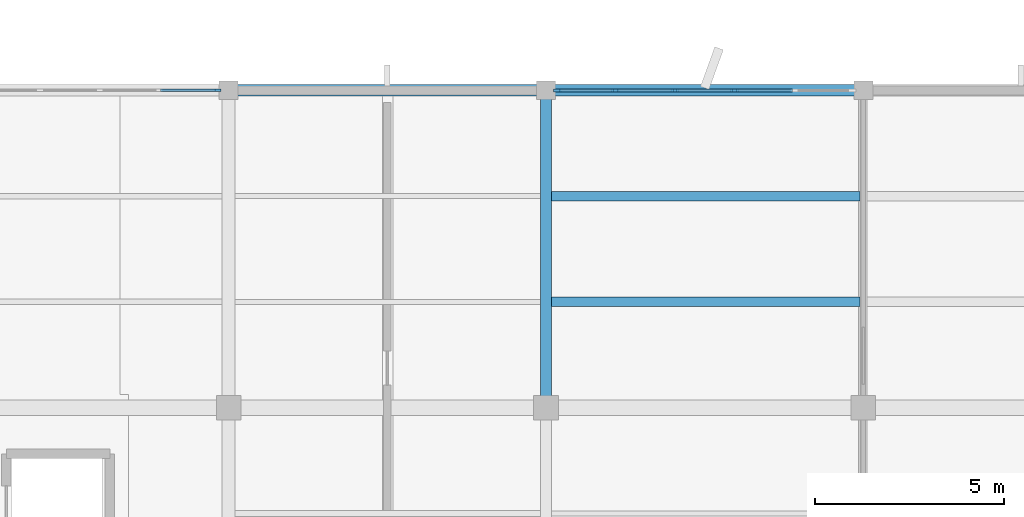
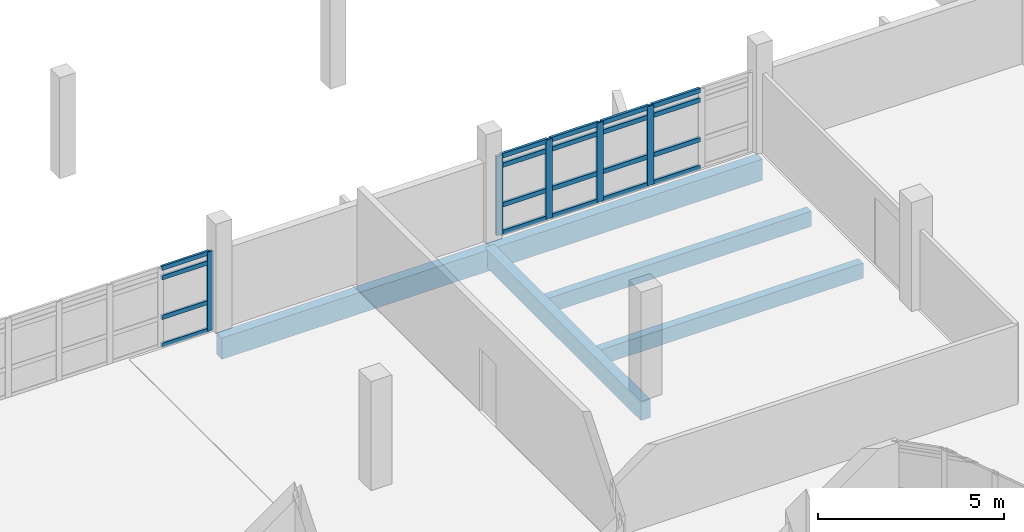
# One storey, part 33 of 104: 25 members, 5 beams, 2 elements without a shape of their own.
"""IFC4 building model written with IfcOpenShell, lengths in metres."""

from ifc_helpers import new_model, si_unit, direction, frame, origin, origin_2d, place, context, subcontext, project, spatial, rectangle, extrude, material, material_profile, profile_set, type_object, element, aggregate, save


model = new_model("IFC4")

# Units and contexts
model_context = context("Model", 3, precision=1e-05, world=origin(), true_north=direction((0.0, 1.0)))
body_context = subcontext(model_context, "Body", "Model", "MODEL_VIEW")
ifc_project = project(units=[si_unit("LENGTHUNIT", "METRE"), si_unit("AREAUNIT", "SQUARE_METRE"), si_unit("VOLUMEUNIT", "CUBIC_METRE"), si_unit("PLANEANGLEUNIT", "RADIAN"), si_unit("MASSUNIT", "GRAM", prefix="KILO")], contexts=[model_context])

# Site, building, storey
site_placement = place(None, origin())
site = spatial("IfcSite", under=ifc_project, at=site_placement, CompositionType="ELEMENT")
building_placement = place(site_placement, origin())
building = spatial("IfcBuilding", under=site, at=building_placement, Name="Vanh Quang Courtyard School", CompositionType="ELEMENT")
storey_placement = place(building_placement, frame((0.0, 0.0, 4.199951171875)))
storey = spatial("IfcBuildingStorey", under=building, at=storey_placement, Name="L01", CompositionType="ELEMENT", Elevation=4.199951171875)

# Beams
ifc_material_1 = material(Name="Concrete C35/45", Category="concrete")
ifc_material_profile_1 = material_profile(ifc_material_1, rectangle(XDim=0.300048828125, YDim=0.60009765625, at=origin_2d()), Name="RC-BM 300x600")
ifc_profile_set_1 = profile_set([ifc_material_profile_1], Name="Concrete C35/45")
beam_type_1 = type_object("IfcBeamType", Name="BM-RC-300x600", PredefinedType="BEAM", material=ifc_profile_set_1)
beam_1_placement = place(storey_placement, frame((57.60009765625, 79.800048828125, -0.579833984375), z_axis=(0.0, 1.0, 0.0), x_axis=(-1.0, 0.0, 0.0)))
element("IfcBeam", 1, at=beam_1_placement, inside=storey, type_object=beam_type_1, Name="Beam B-06 (L01)", PredefinedType="BEAM", context=body_context, shape_type="SweptSolid", body=[
    extrude(rectangle(XDim=0.300048828125, YDim=0.60009765625, at=origin_2d()), origin(), (0.0, 0.0, 1.0), 8.39990234375),
])
ifc_material_profile_2 = material_profile(ifc_material_1, rectangle(XDim=0.300048828125, YDim=0.699951171875, at=origin_2d()), Name="RC-SP 300x700")
ifc_profile_set_2 = profile_set([ifc_material_profile_2], Name="Concrete C35/45")
beam_type_2 = type_object("IfcBeamType", Name="BM-SP-300x700", PredefinedType="SPANDREL", material=ifc_profile_set_2)
beam_2_placement = place(storey_placement, frame((49.199951171875, 88.199951171875, -0.6298828125), z_axis=(1.0, 0.0, 0.0), x_axis=(0.0, 1.0, 0.0)))
element("IfcBeam", 2, at=beam_2_placement, inside=storey, type_object=beam_type_2, Name="Beam BS-01 (L01)", PredefinedType="SPANDREL", context=body_context, shape_type="SweptSolid", body=[
    extrude(rectangle(XDim=0.300048828125, YDim=0.699951171875, at=origin_2d()), origin(), (0.0, 0.0, 1.0), 8.400146484375),
])
beam_3_placement = place(storey_placement, frame((57.60009765625, 88.199951171875, -0.6298828125), z_axis=(1.0, 0.0, 0.0), x_axis=(0.0, 1.0, 0.0)))
element("IfcBeam", 3, at=beam_3_placement, inside=storey, type_object=beam_type_2, Name="Beam BS-01 (L01)", PredefinedType="SPANDREL", context=body_context, shape_type="SweptSolid", body=[
    extrude(rectangle(XDim=0.300048828125, YDim=0.699951171875, at=origin_2d()), origin(), (0.0, 0.0, 1.0), 8.39990234375),
])

# Curtain wall, member
ifc_material_2 = material(Name="Thermally broken aluminium unitised curtain wall", Category="aluminium")
curtain_wall_type = type_object("IfcCurtainWallType", Name="CW-SYS-19", PredefinedType="NOTDEFINED", material=ifc_material_2)
curtain_wall_1_placement = place(storey_placement, origin())
curtain_wall_1 = element("IfcCurtainWall", 4, at=curtain_wall_1_placement, inside=storey, type_object=curtain_wall_type, Name="Curtain Wall CW-19 (L01)", PredefinedType="NOTDEFINED")
ifc_material_3 = material(Name="Anodised aluminium 6063-T6", Category="aluminium")
ifc_material_profile_3 = material_profile(ifc_material_3, rectangle(XDim=0.070068359375, YDim=0.179931640625, at=origin_2d()), Name="ALU-MUL 70x180")
ifc_profile_set_3 = profile_set([ifc_material_profile_3], Name="Anodised aluminium 6063-T6")
member_type_1 = type_object("IfcMemberType", Name="CW-MUL-70x180", PredefinedType="MULLION", material=ifc_profile_set_3)
member_1_placement = place(storey_placement, frame((48.906982421875, 88.199951171875, 0.0), z_axis=(0.0, 0.0, 1.0), x_axis=(0.0, 1.0, 0.0)))
member_1 = element("IfcMember", 5, at=member_1_placement, type_object=member_type_1, Name="CW-19 mullion 6", PredefinedType="MULLION", context=body_context, shape_type="SweptSolid", body=[
    extrude(rectangle(XDim=0.070068359375, YDim=0.179931640625, at=origin_2d()), origin(), (0.0, 0.0, 1.0), 2.60009765625),
])

# Curtain wall, members
curtain_wall_2_placement = place(storey_placement, origin())
curtain_wall_2 = element("IfcCurtainWall", 6, at=curtain_wall_2_placement, inside=storey, type_object=curtain_wall_type, Name="Curtain Wall CW-19 (L01)", PredefinedType="NOTDEFINED")
ifc_material_profile_4 = material_profile(ifc_material_3, rectangle(XDim=0.080078125, YDim=0.199951171875, at=origin_2d()), Name="ALU-MUL 80x200")
ifc_profile_set_4 = profile_set([ifc_material_profile_4], Name="Anodised aluminium 6063-T6")
member_type_2 = type_object("IfcMemberType", Name="CW-MUL-80x200", PredefinedType="MULLION", material=ifc_profile_set_4)
member_2_placement = place(storey_placement, frame((57.89794921875, 88.199951171875, 0.0), z_axis=(0.0, 0.0, 1.0), x_axis=(0.0, 1.0, 0.0)))
member_2 = element("IfcMember", 7, at=member_2_placement, type_object=member_type_2, Name="CW-19 mullion 1", PredefinedType="MULLION", context=body_context, shape_type="SweptSolid", body=[
    extrude(rectangle(XDim=0.080078125, YDim=0.199951171875, at=origin_2d()), origin(), (0.0, 0.0, 1.0), 2.60009765625),
])
member_3_placement = place(storey_placement, frame((59.434814453125, 88.199951171875, 0.0), z_axis=(0.0, 0.0, 1.0), x_axis=(0.0, 1.0, 0.0)))
member_3 = element("IfcMember", 8, at=member_3_placement, type_object=member_type_2, Name="CW-19 mullion 2", PredefinedType="MULLION", context=body_context, shape_type="SweptSolid", body=[
    extrude(rectangle(XDim=0.080078125, YDim=0.199951171875, at=origin_2d()), origin(), (0.0, 0.0, 1.0), 2.60009765625),
])
member_4_placement = place(storey_placement, frame((61.01171875, 88.199951171875, 0.0), z_axis=(0.0, 0.0, 1.0), x_axis=(0.0, 1.0, 0.0)))
member_4 = element("IfcMember", 9, at=member_4_placement, type_object=member_type_2, Name="CW-19 mullion 3", PredefinedType="MULLION", context=body_context, shape_type="SweptSolid", body=[
    extrude(rectangle(XDim=0.080078125, YDim=0.199951171875, at=origin_2d()), origin(), (0.0, 0.0, 1.0), 2.60009765625),
])
member_5_placement = place(storey_placement, frame((62.58837890625, 88.199951171875, 0.0), z_axis=(0.0, 0.0, 1.0), x_axis=(0.0, 1.0, 0.0)))
member_5 = element("IfcMember", 10, at=member_5_placement, type_object=member_type_2, Name="CW-19 mullion 4", PredefinedType="MULLION", context=body_context, shape_type="SweptSolid", body=[
    extrude(rectangle(XDim=0.080078125, YDim=0.199951171875, at=origin_2d()), origin(), (0.0, 0.0, 1.0), 2.60009765625),
])

# Member
ifc_material_profile_5 = material_profile(ifc_material_3, rectangle(XDim=0.070068359375, YDim=0.139892578125, at=origin_2d()), Name="ALU-TRN 70x140")
ifc_profile_set_5 = profile_set([ifc_material_profile_5], Name="Anodised aluminium 6063-T6")
member_type_3 = type_object("IfcMemberType", Name="CW-TRN-70x140", PredefinedType="USERDEFINED", material=ifc_profile_set_5)
member_6_placement = place(storey_placement, frame((47.400146484375, 88.199951171875, 0.03515625), z_axis=(1.0, 0.0, 0.0), x_axis=(0.0, 1.0, 0.0)))
member_6 = element("IfcMember", 11, at=member_6_placement, type_object=member_type_3, Name="CW-19 transom 5.1", ObjectType="TRANSOM", PredefinedType="USERDEFINED", context=body_context, shape_type="SweptSolid", body=[
    extrude(rectangle(XDim=0.070068359375, YDim=0.139892578125, at=origin_2d()), origin(), (0.0, 0.0, 1.0), 1.471923828125),
])

member_7_placement = place(storey_placement, frame((47.400146484375, 88.199951171875, 0.949951171875), z_axis=(1.0, 0.0, 0.0), x_axis=(0.0, 1.0, 0.0)))
member_7 = element("IfcMember", 12, at=member_7_placement, type_object=member_type_3, Name="CW-19 transom 5.2", ObjectType="TRANSOM", PredefinedType="USERDEFINED", context=body_context, shape_type="SweptSolid", body=[
    extrude(rectangle(XDim=0.070068359375, YDim=0.139892578125, at=origin_2d()), origin(), (0.0, 0.0, 1.0), 1.471923828125),
])

member_8_placement = place(storey_placement, frame((47.400146484375, 88.199951171875, 2.25), z_axis=(1.0, 0.0, 0.0), x_axis=(0.0, 1.0, 0.0)))
member_8 = element("IfcMember", 13, at=member_8_placement, type_object=member_type_3, Name="CW-19 transom 5.3", ObjectType="TRANSOM", PredefinedType="USERDEFINED", context=body_context, shape_type="SweptSolid", body=[
    extrude(rectangle(XDim=0.070068359375, YDim=0.139892578125, at=origin_2d()), origin(), (0.0, 0.0, 1.0), 1.471923828125),
])

member_9_placement = place(storey_placement, frame((47.400146484375, 88.199951171875, 2.56494140625), z_axis=(1.0, 0.0, 0.0), x_axis=(0.0, 1.0, 0.0)))
member_9 = element("IfcMember", 14, at=member_9_placement, type_object=member_type_3, Name="CW-19 transom 5.4", ObjectType="TRANSOM", PredefinedType="USERDEFINED", context=body_context, shape_type="SweptSolid", body=[
    extrude(rectangle(XDim=0.070068359375, YDim=0.139892578125, at=origin_2d()), origin(), (0.0, 0.0, 1.0), 1.471923828125),
])

aggregate(curtain_wall_1, [member_1, member_6, member_7, member_8, member_9])

ifc_material_profile_6 = material_profile(ifc_material_3, rectangle(XDim=0.080078125, YDim=0.14990234375, at=origin_2d()), Name="ALU-TRN 80x150")
ifc_profile_set_6 = profile_set([ifc_material_profile_6], Name="Anodised aluminium 6063-T6")
member_type_4 = type_object("IfcMemberType", Name="CW-TRN-80x150", PredefinedType="USERDEFINED", material=ifc_profile_set_6)
member_10_placement = place(storey_placement, frame((57.93798828125, 88.199951171875, 0.0400390625), z_axis=(1.0, 0.0, 0.0), x_axis=(0.0, 1.0, 0.0)))
member_10 = element("IfcMember", 15, at=member_10_placement, type_object=member_type_4, Name="CW-19 transom 1.1", ObjectType="TRANSOM", PredefinedType="USERDEFINED", context=body_context, shape_type="SweptSolid", body=[
    extrude(rectangle(XDim=0.080078125, YDim=0.14990234375, at=origin_2d()), origin(), (0.0, 0.0, 1.0), 1.456787109375),
])

member_11_placement = place(storey_placement, frame((57.93798828125, 88.199951171875, 0.949951171875), z_axis=(1.0, 0.0, 0.0), x_axis=(0.0, 1.0, 0.0)))
member_11 = element("IfcMember", 16, at=member_11_placement, type_object=member_type_4, Name="CW-19 transom 1.2", ObjectType="TRANSOM", PredefinedType="USERDEFINED", context=body_context, shape_type="SweptSolid", body=[
    extrude(rectangle(XDim=0.080078125, YDim=0.14990234375, at=origin_2d()), origin(), (0.0, 0.0, 1.0), 1.456787109375),
])

member_12_placement = place(storey_placement, frame((57.93798828125, 88.199951171875, 2.25), z_axis=(1.0, 0.0, 0.0), x_axis=(0.0, 1.0, 0.0)))
member_12 = element("IfcMember", 17, at=member_12_placement, type_object=member_type_4, Name="CW-19 transom 1.3", ObjectType="TRANSOM", PredefinedType="USERDEFINED", context=body_context, shape_type="SweptSolid", body=[
    extrude(rectangle(XDim=0.080078125, YDim=0.14990234375, at=origin_2d()), origin(), (0.0, 0.0, 1.0), 1.456787109375),
])

member_13_placement = place(storey_placement, frame((57.93798828125, 88.199951171875, 2.56005859375), z_axis=(1.0, 0.0, 0.0), x_axis=(0.0, 1.0, 0.0)))
member_13 = element("IfcMember", 18, at=member_13_placement, type_object=member_type_4, Name="CW-19 transom 1.4", ObjectType="TRANSOM", PredefinedType="USERDEFINED", context=body_context, shape_type="SweptSolid", body=[
    extrude(rectangle(XDim=0.080078125, YDim=0.14990234375, at=origin_2d()), origin(), (0.0, 0.0, 1.0), 1.456787109375),
])

member_14_placement = place(storey_placement, frame((59.474853515625, 88.199951171875, 0.0400390625), z_axis=(1.0, 0.0, 0.0), x_axis=(0.0, 1.0, 0.0)))
member_14 = element("IfcMember", 19, at=member_14_placement, type_object=member_type_4, Name="CW-19 transom 2.1", ObjectType="TRANSOM", PredefinedType="USERDEFINED", context=body_context, shape_type="SweptSolid", body=[
    extrude(rectangle(XDim=0.080078125, YDim=0.14990234375, at=origin_2d()), origin(), (0.0, 0.0, 1.0), 1.496826171875),
])

member_15_placement = place(storey_placement, frame((59.474853515625, 88.199951171875, 0.949951171875), z_axis=(1.0, 0.0, 0.0), x_axis=(0.0, 1.0, 0.0)))
member_15 = element("IfcMember", 20, at=member_15_placement, type_object=member_type_4, Name="CW-19 transom 2.2", ObjectType="TRANSOM", PredefinedType="USERDEFINED", context=body_context, shape_type="SweptSolid", body=[
    extrude(rectangle(XDim=0.080078125, YDim=0.14990234375, at=origin_2d()), origin(), (0.0, 0.0, 1.0), 1.496826171875),
])

member_16_placement = place(storey_placement, frame((59.474853515625, 88.199951171875, 2.25), z_axis=(1.0, 0.0, 0.0), x_axis=(0.0, 1.0, 0.0)))
member_16 = element("IfcMember", 21, at=member_16_placement, type_object=member_type_4, Name="CW-19 transom 2.3", ObjectType="TRANSOM", PredefinedType="USERDEFINED", context=body_context, shape_type="SweptSolid", body=[
    extrude(rectangle(XDim=0.080078125, YDim=0.14990234375, at=origin_2d()), origin(), (0.0, 0.0, 1.0), 1.496826171875),
])

member_17_placement = place(storey_placement, frame((59.474853515625, 88.199951171875, 2.56005859375), z_axis=(1.0, 0.0, 0.0), x_axis=(0.0, 1.0, 0.0)))
member_17 = element("IfcMember", 22, at=member_17_placement, type_object=member_type_4, Name="CW-19 transom 2.4", ObjectType="TRANSOM", PredefinedType="USERDEFINED", context=body_context, shape_type="SweptSolid", body=[
    extrude(rectangle(XDim=0.080078125, YDim=0.14990234375, at=origin_2d()), origin(), (0.0, 0.0, 1.0), 1.496826171875),
])

member_18_placement = place(storey_placement, frame((61.051513671875, 88.199951171875, 0.0400390625), z_axis=(1.0, 0.0, 0.0), x_axis=(0.0, 1.0, 0.0)))
member_18 = element("IfcMember", 23, at=member_18_placement, type_object=member_type_4, Name="CW-19 transom 3.1", ObjectType="TRANSOM", PredefinedType="USERDEFINED", context=body_context, shape_type="SweptSolid", body=[
    extrude(rectangle(XDim=0.080078125, YDim=0.14990234375, at=origin_2d()), origin(), (0.0, 0.0, 1.0), 1.496826171875),
])

member_19_placement = place(storey_placement, frame((61.051513671875, 88.199951171875, 0.949951171875), z_axis=(1.0, 0.0, 0.0), x_axis=(0.0, 1.0, 0.0)))
member_19 = element("IfcMember", 24, at=member_19_placement, type_object=member_type_4, Name="CW-19 transom 3.2", ObjectType="TRANSOM", PredefinedType="USERDEFINED", context=body_context, shape_type="SweptSolid", body=[
    extrude(rectangle(XDim=0.080078125, YDim=0.14990234375, at=origin_2d()), origin(), (0.0, 0.0, 1.0), 1.496826171875),
])

member_20_placement = place(storey_placement, frame((61.051513671875, 88.199951171875, 2.25), z_axis=(1.0, 0.0, 0.0), x_axis=(0.0, 1.0, 0.0)))
member_20 = element("IfcMember", 25, at=member_20_placement, type_object=member_type_4, Name="CW-19 transom 3.3", ObjectType="TRANSOM", PredefinedType="USERDEFINED", context=body_context, shape_type="SweptSolid", body=[
    extrude(rectangle(XDim=0.080078125, YDim=0.14990234375, at=origin_2d()), origin(), (0.0, 0.0, 1.0), 1.496826171875),
])

member_21_placement = place(storey_placement, frame((61.051513671875, 88.199951171875, 2.56005859375), z_axis=(1.0, 0.0, 0.0), x_axis=(0.0, 1.0, 0.0)))
member_21 = element("IfcMember", 26, at=member_21_placement, type_object=member_type_4, Name="CW-19 transom 3.4", ObjectType="TRANSOM", PredefinedType="USERDEFINED", context=body_context, shape_type="SweptSolid", body=[
    extrude(rectangle(XDim=0.080078125, YDim=0.14990234375, at=origin_2d()), origin(), (0.0, 0.0, 1.0), 1.496826171875),
])

member_22_placement = place(storey_placement, frame((62.62841796875, 88.199951171875, 0.0400390625), z_axis=(1.0, 0.0, 0.0), x_axis=(0.0, 1.0, 0.0)))
member_22 = element("IfcMember", 27, at=member_22_placement, type_object=member_type_4, Name="CW-19 transom 4.1", ObjectType="TRANSOM", PredefinedType="USERDEFINED", context=body_context, shape_type="SweptSolid", body=[
    extrude(rectangle(XDim=0.080078125, YDim=0.14990234375, at=origin_2d()), origin(), (0.0, 0.0, 1.0), 1.496826171875),
])

member_23_placement = place(storey_placement, frame((62.62841796875, 88.199951171875, 0.949951171875), z_axis=(1.0, 0.0, 0.0), x_axis=(0.0, 1.0, 0.0)))
member_23 = element("IfcMember", 28, at=member_23_placement, type_object=member_type_4, Name="CW-19 transom 4.2", ObjectType="TRANSOM", PredefinedType="USERDEFINED", context=body_context, shape_type="SweptSolid", body=[
    extrude(rectangle(XDim=0.080078125, YDim=0.14990234375, at=origin_2d()), origin(), (0.0, 0.0, 1.0), 1.496826171875),
])

member_24_placement = place(storey_placement, frame((62.62841796875, 88.199951171875, 2.25), z_axis=(1.0, 0.0, 0.0), x_axis=(0.0, 1.0, 0.0)))
member_24 = element("IfcMember", 29, at=member_24_placement, type_object=member_type_4, Name="CW-19 transom 4.3", ObjectType="TRANSOM", PredefinedType="USERDEFINED", context=body_context, shape_type="SweptSolid", body=[
    extrude(rectangle(XDim=0.080078125, YDim=0.14990234375, at=origin_2d()), origin(), (0.0, 0.0, 1.0), 1.496826171875),
])

member_25_placement = place(storey_placement, frame((62.62841796875, 88.199951171875, 2.56005859375), z_axis=(1.0, 0.0, 0.0), x_axis=(0.0, 1.0, 0.0)))
member_25 = element("IfcMember", 30, at=member_25_placement, type_object=member_type_4, Name="CW-19 transom 4.4", ObjectType="TRANSOM", PredefinedType="USERDEFINED", context=body_context, shape_type="SweptSolid", body=[
    extrude(rectangle(XDim=0.080078125, YDim=0.14990234375, at=origin_2d()), origin(), (0.0, 0.0, 1.0), 1.496826171875),
])

aggregate(curtain_wall_2, [member_2, member_3, member_4, member_5, member_10, member_11, member_12, member_13, member_14, member_15, member_16, member_17, member_18, member_19, member_20, member_21, member_22, member_23, member_24, member_25])

# Beams
ifc_material_4 = material(Name="Concrete C30/37", Category="concrete")
ifc_material_profile_7 = material_profile(ifc_material_4, rectangle(XDim=0.25, YDim=0.5, at=origin_2d()), Name="RC-JST 250x500")
ifc_profile_set_7 = profile_set([ifc_material_profile_7], Name="Concrete C30/37")
beam_type_3 = type_object("IfcBeamType", Name="JST-RC-250x500", PredefinedType="JOIST", material=ifc_profile_set_7)
for number, where, z_axis, x_axis, name in (
    (31, (57.75, 82.60009765625, -0.530029296875), (1.0, 0.0, 0.0), (0.0, 1.0, 0.0), "Beam BJ-01 (L01)"),
    (32, (57.75, 85.39990234375, -0.530029296875), (1.0, 0.0, 0.0), (0.0, 1.0, 0.0), "Beam BJ-01 (L01)"),
):
    element("IfcBeam", number, at=place(storey_placement, frame(where, z_axis=z_axis, x_axis=x_axis)), inside=storey, type_object=beam_type_3, Name=name, PredefinedType="JOIST", context=body_context, shape_type="SweptSolid", body=[
        extrude(rectangle(XDim=0.25, YDim=0.5, at=origin_2d()), origin(), (0.0, 0.0, 1.0), 8.159912109375),
    ])

save(model, "model.ifc")
